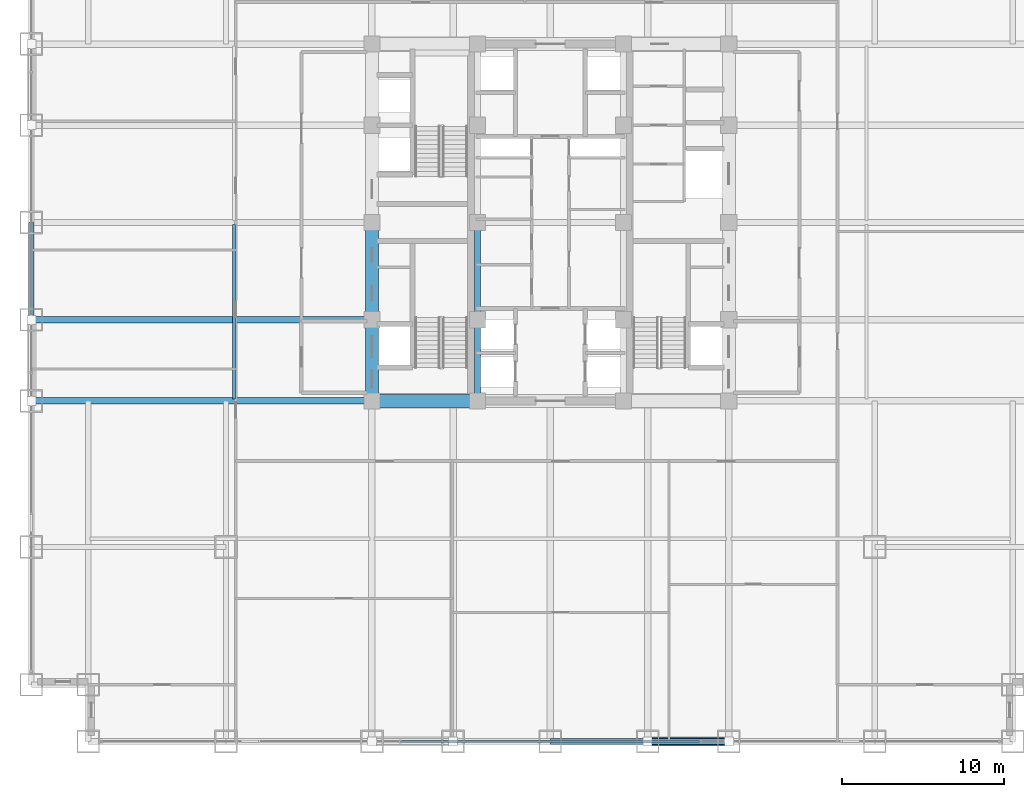
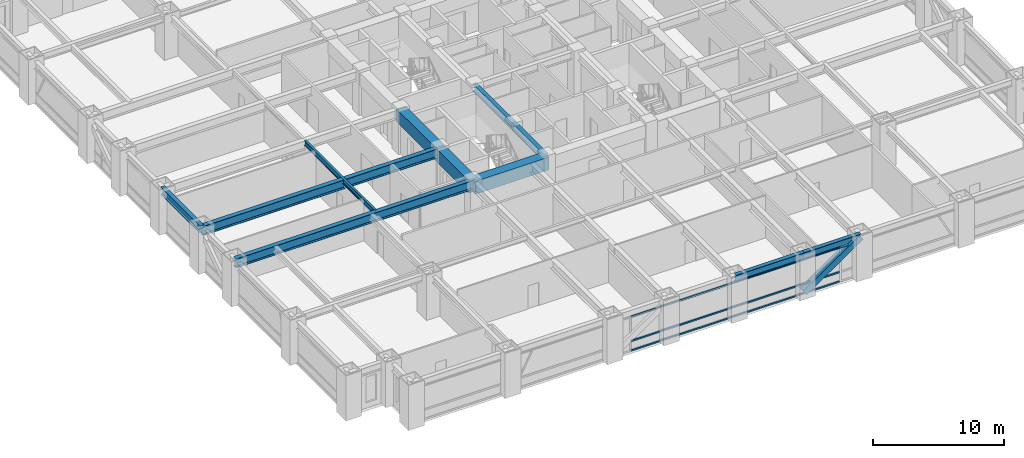
# One storey, part 7 of 28: 11 beams, 4 members, 1 element without a shape of its own.
"""IFC4 building model written with IfcOpenShell, lengths in metres."""

from ifc_helpers import new_model, si_unit, direction, frame, origin, origin_2d, place, context, subcontext, project, spatial, rectangle, hollow_rectangle, i_section, extrude, source, transform, mapped, material, material_profile, profile_set, type_object, element, aggregate, save


model = new_model("IFC4")

# Units and contexts
model_context = context("Model", 3, precision=1e-05, world=origin(), true_north=direction((0.0, 1.0)))
body_context = subcontext(model_context, "Body", "Model", "MODEL_VIEW")
ifc_project = project(units=[si_unit("LENGTHUNIT", "METRE"), si_unit("AREAUNIT", "SQUARE_METRE"), si_unit("VOLUMEUNIT", "CUBIC_METRE"), si_unit("PLANEANGLEUNIT", "RADIAN"), si_unit("MASSUNIT", "GRAM", prefix="KILO")], contexts=[model_context])

# Site, building, storey
site_placement = place(None, origin())
site = spatial("IfcSite", under=ifc_project, at=site_placement, CompositionType="ELEMENT")
building_placement = place(site_placement, origin())
building = spatial("IfcBuilding", under=site, at=building_placement, Name="Khorayat Bourse Tower", CompositionType="ELEMENT")
storey_placement = place(building_placement, frame((0.0, 0.0, 62.0)))
storey = spatial("IfcBuildingStorey", under=building, at=storey_placement, Name="L13", CompositionType="ELEMENT", Elevation=62.0)

# Beams
ifc_material_1 = material(Name="Concrete C72/90", Category="concrete")
ifc_material_profile_1 = material_profile(ifc_material_1, rectangle(XDim=0.800048828125, YDim=1.199951171875, at=origin_2d()), Name="RC 800x1200")
ifc_profile_set_1 = profile_set([ifc_material_profile_1], Name="Concrete C72/90")
beam_type_1 = type_object("IfcBeamType", Name="BM-COUP-1200", PredefinedType="BEAM", material=ifc_profile_set_1)
shared_shape_1 = source(origin(), body_context, "Body", "SweptSolid", [
    extrude(rectangle(XDim=0.800048828125, YDim=1.199951171875, at=origin_2d()), origin(), (0.0, 0.0, 1.0), 5.0),
])
beam_1_placement = place(storey_placement, frame((-11.0, -11.0, 3.340087890625), z_axis=(0.0, 1.0, 0.0), x_axis=(-1.0, 0.0, 0.0)))
element("IfcBeam", 1, at=beam_1_placement, inside=storey, type_object=beam_type_1, Name="L13 BM-COUP-1200 BM-L13-CRX-01", PredefinedType="BEAM", context=body_context, shape_type="MappedRepresentation", body=[
    mapped(shared_shape_1, transform((0.0, 0.0, 0.0), scale=1.0)),
])
shared_shape_2 = source(origin(), body_context, "Body", "SweptSolid", [
    extrude(rectangle(XDim=0.800048828125, YDim=1.199951171875, at=origin_2d()), origin(), (0.0, 0.0, 1.0), 6.0),
])
beam_2_placement = place(storey_placement, frame((-11.0, -6.0, 3.340087890625), z_axis=(0.0, 1.0, 0.0), x_axis=(-1.0, 0.0, 0.0)))
element("IfcBeam", 2, at=beam_2_placement, inside=storey, type_object=beam_type_1, Name="L13 BM-COUP-1200 BM-L13-CRX-02", PredefinedType="BEAM", context=body_context, shape_type="MappedRepresentation", body=[
    mapped(shared_shape_2, transform((0.0, 0.0, 0.0), scale=1.0)),
])
ifc_material_2 = material(Name="Steel ASTM A992 Grade 50", Category="steel")
ifc_material_profile_2 = material_profile(ifc_material_2, i_section(OverallWidth=0.35498046875, OverallDepth=0.695068359375, WebThickness=0.015380859375, FlangeThickness=0.02490234375, FilletRadius=0.01806640625, at=origin_2d()), Name="W690X217")
ifc_profile_set_2 = profile_set([ifc_material_profile_2], Name="Steel ASTM A992 Grade 50")
beam_type_2 = type_object("IfcBeamType", Name="BM-GIRD-690", PredefinedType="BEAM", material=ifc_profile_set_2)
shared_shape_3 = source(origin(), body_context, "Body", "SweptSolid", [
    extrude(i_section(OverallWidth=0.35498046875, OverallDepth=0.695068359375, WebThickness=0.015380859375, FlangeThickness=0.02490234375, FilletRadius=0.01806640625, at=origin_2d()), origin(), (0.0, 0.0, 1.0), 5.0),
])
beam_3_placement = place(storey_placement, frame((-4.5, -11.0, 3.592529296875), z_axis=(0.0, 1.0, 0.0), x_axis=(-1.0, 0.0, 0.0)))
element("IfcBeam", 3, at=beam_3_placement, inside=storey, type_object=beam_type_2, Name="L13 BM-GIRD-690 BM-L13-CRX-05", PredefinedType="BEAM", context=body_context, shape_type="MappedRepresentation", body=[
    mapped(shared_shape_3, transform((0.0, 0.0, 0.0), scale=1.0)),
])
shared_shape_4 = source(origin(), body_context, "Body", "SweptSolid", [
    extrude(i_section(OverallWidth=0.35498046875, OverallDepth=0.695068359375, WebThickness=0.015380859375, FlangeThickness=0.02490234375, FilletRadius=0.01806640625, at=origin_2d()), origin(), (0.0, 0.0, 1.0), 6.0),
])
beam_4_placement = place(storey_placement, frame((-4.5, -6.0, 3.592529296875), z_axis=(0.0, 1.0, 0.0), x_axis=(-1.0, 0.0, 0.0)))
element("IfcBeam", 4, at=beam_4_placement, inside=storey, type_object=beam_type_2, Name="L13 BM-GIRD-690 BM-L13-CRX-06", PredefinedType="BEAM", context=body_context, shape_type="MappedRepresentation", body=[
    mapped(shared_shape_4, transform((0.0, 0.0, 0.0), scale=1.0)),
])
shared_shape_5 = source(origin(), body_context, "Body", "SweptSolid", [
    extrude(rectangle(XDim=0.800048828125, YDim=1.199951171875, at=origin_2d()), origin(), (0.0, 0.0, 1.0), 6.5),
])
beam_5_placement = place(storey_placement, frame((-11.0, -11.0, 3.340087890625), z_axis=(1.0, 0.0, 0.0), x_axis=(0.0, 1.0, 0.0)))
element("IfcBeam", 5, at=beam_5_placement, inside=storey, type_object=beam_type_1, Name="L13 BM-COUP-1200 BM-L13-CRY-17", PredefinedType="BEAM", context=body_context, shape_type="MappedRepresentation", body=[
    mapped(shared_shape_5, transform((0.0, 0.0, 0.0), scale=1.0)),
])
ifc_material_profile_3 = material_profile(ifc_material_2, i_section(OverallWidth=0.35498046875, OverallDepth=0.695068359375, WebThickness=0.015380859375, FlangeThickness=0.02490234375, FilletRadius=0.01806640625, at=origin_2d()), Name="W690X217")
ifc_profile_set_3 = profile_set([ifc_material_profile_3], Name="Steel ASTM A992 Grade 50")
beam_type_3 = type_object("IfcBeamType", Name="BM-SPAN-690", PredefinedType="SPANDREL", material=ifc_profile_set_3)
shared_shape_6 = source(origin(), body_context, "Body", "SweptSolid", [
    extrude(i_section(OverallWidth=0.35498046875, OverallDepth=0.695068359375, WebThickness=0.015380859375, FlangeThickness=0.02490234375, FilletRadius=0.01806640625, at=origin_2d()), origin(), (0.0, 0.0, 1.0), 5.0),
])
beam_6_placement = place(storey_placement, frame((6.0, -32.0, 3.592529296875), z_axis=(1.0, 0.0, 0.0), x_axis=(0.0, 1.0, 0.0)))
element("IfcBeam", 6, at=beam_6_placement, inside=storey, type_object=beam_type_3, Name="L13 BM-SPAN-690 BM-L13-SPN-029", PredefinedType="SPANDREL", context=body_context, shape_type="MappedRepresentation", body=[
    mapped(shared_shape_6, transform((0.0, 0.0, 0.0), scale=1.0)),
])
shared_shape_7 = source(origin(), body_context, "Body", "SweptSolid", [
    extrude(i_section(OverallWidth=0.35498046875, OverallDepth=0.695068359375, WebThickness=0.015380859375, FlangeThickness=0.02490234375, FilletRadius=0.01806640625, at=origin_2d()), origin(), (0.0, 0.0, 1.0), 6.0),
])
for number, where, z_axis, x_axis, name in (
    (7, (0.0, -32.0, 3.592529296875), (1.0, 0.0, 0.0), (0.0, 1.0, 0.0), "L13 BM-SPAN-690 BM-L13-SPN-028"),
    (8, (-32.0, -6.0, 3.592529296875), (0.0, 1.0, 0.0), (-1.0, 0.0, 0.0), "L13 BM-SPAN-690 BM-L13-SPN-058"),
):
    element("IfcBeam", number, at=place(storey_placement, frame(where, z_axis=z_axis, x_axis=x_axis)), inside=storey, type_object=beam_type_3, Name=name, PredefinedType="SPANDREL", context=body_context, shape_type="MappedRepresentation", body=[
        mapped(shared_shape_7, transform((0.0, 0.0, 0.0), scale=1.0)),
    ])
ifc_material_profile_4 = material_profile(ifc_material_2, i_section(OverallWidth=0.39990234375, OverallDepth=0.85498046875, WebThickness=0.018310546875, FlangeThickness=0.029296875, FilletRadius=0.02001953125, at=origin_2d()), Name="W840X299")
ifc_profile_set_4 = profile_set([ifc_material_profile_4], Name="Steel ASTM A992 Grade 50")
beam_type_4 = type_object("IfcBeamType", Name="BM-GIRD-840", PredefinedType="BEAM", material=ifc_profile_set_4)
shared_shape_8 = source(origin(), body_context, "Body", "SweptSolid", [
    extrude(i_section(OverallWidth=0.39990234375, OverallDepth=0.85498046875, WebThickness=0.018310546875, FlangeThickness=0.029296875, FilletRadius=0.02001953125, at=origin_2d()), origin(), (0.0, 0.0, 1.0), 21.0),
])
for number, where, z_axis, x_axis, name in (
    (9, (-32.0, -11.0, 3.512451171875), (1.0, 0.0, 0.0), (0.0, 1.0, 0.0), "L13 BM-GIRD-840 BM-L13-RADX-075"),
    (10, (-32.0, -6.0, 3.512451171875), (1.0, 0.0, 0.0), (0.0, 1.0, 0.0), "L13 BM-GIRD-840 BM-L13-RADX-077"),
):
    element("IfcBeam", number, at=place(storey_placement, frame(where, z_axis=z_axis, x_axis=x_axis)), inside=storey, type_object=beam_type_4, Name=name, PredefinedType="BEAM", context=body_context, shape_type="MappedRepresentation", body=[
        mapped(shared_shape_8, transform((0.0, 0.0, 0.0), scale=1.0)),
    ])
ifc_material_profile_5 = material_profile(ifc_material_2, i_section(OverallWidth=0.194091796875, OverallDepth=0.468994140625, WebThickness=0.0126953125, FlangeThickness=0.0205078125, FilletRadius=0.012939453125, at=origin_2d()), Name="W460X106")
ifc_profile_set_5 = profile_set([ifc_material_profile_5], Name="Steel ASTM A992 Grade 50")
beam_type_5 = type_object("IfcBeamType", Name="BM-JOIST-460", PredefinedType="JOIST", material=ifc_profile_set_5)
shared_shape_9 = source(origin(), body_context, "Body", "SweptSolid", [
    extrude(i_section(OverallWidth=0.194091796875, OverallDepth=0.468994140625, WebThickness=0.0126953125, FlangeThickness=0.0205078125, FilletRadius=0.012939453125, at=origin_2d()), origin(), (0.0, 0.0, 1.0), 10.740234375),
])
beam_7_placement = place(storey_placement, frame((-19.5, -10.8701171875, 3.70556640625), z_axis=(0.0, 1.0, 0.0), x_axis=(-1.0, 0.0, 0.0)))
element("IfcBeam", 11, at=beam_7_placement, inside=storey, type_object=beam_type_5, Name="L13 BM-JOIST-460 BM-L13-JSTY-102", PredefinedType="JOIST", context=body_context, shape_type="MappedRepresentation", body=[
    mapped(shared_shape_9, transform((0.0, 0.0, 0.0), scale=1.0)),
])

# Member
ifc_material_3 = material(Name="Steel EN 10025-4 S460M", Category="steel")
ifc_material_profile_6 = material_profile(ifc_material_3, hollow_rectangle(XDim=0.550048828125, YDim=0.550048828125, WallThickness=0.031982421875, at=origin_2d()), Name="HSS 550x550x32")
ifc_profile_set_6 = profile_set([ifc_material_profile_6], Name="Steel EN 10025-4 S460M")
member_type_1 = type_object("IfcMemberType", Name="MBR-TUBE-550", PredefinedType="BRACE", material=ifc_profile_set_6)
shared_shape_10 = source(origin(), body_context, "Body", "SweptSolid", [
    extrude(hollow_rectangle(XDim=0.550048828125, YDim=0.550048828125, WallThickness=0.031982421875, at=origin_2d()), origin(), (0.0, 0.0, 1.0), 6.069091796875),
])
member_1_placement = place(storey_placement, frame((6.0, -32.0, 0.25), z_axis=(0.823854080622, 0.0, 0.566801952928), x_axis=(0.0, 1.0, 0.0)))
element("IfcMember", 12, at=member_1_placement, inside=storey, type_object=member_type_1, Name="L13 Perimeter Tube Brace 02", PredefinedType="BRACE", context=body_context, shape_type="MappedRepresentation", body=[
    mapped(shared_shape_10, transform((0.0, 0.0, 0.0), scale=1.0)),
])

# Curtain wall, members
ifc_material_4 = material(Name="Aluminium EN AW-6063 T6", Category="aluminium")
curtain_wall_type = type_object("IfcCurtainWallType", Name="CW-SYS-02", PredefinedType="NOTDEFINED", material=ifc_material_4)
curtain_wall_placement = place(storey_placement, origin())
curtain_wall = element("IfcCurtainWall", 13, at=curtain_wall_placement, inside=storey, type_object=curtain_wall_type, Name="L13 Curtain Wall CW-L13-S1", PredefinedType="NOTDEFINED")
ifc_material_profile_7 = material_profile(ifc_material_4, hollow_rectangle(XDim=0.139892578125, YDim=0.139892578125, WallThickness=0.006103515625, at=origin_2d()), Name="ALU 140x140x6")
ifc_profile_set_7 = profile_set([ifc_material_profile_7], Name="Aluminium EN AW-6063 T6")
member_type_2 = type_object("IfcMemberType", Name="CWT-HORZ-140", PredefinedType="USERDEFINED", material=ifc_profile_set_7)
shared_shape_11 = source(origin(), body_context, "Body", "SweptSolid", [
    extrude(hollow_rectangle(XDim=0.139892578125, YDim=0.139892578125, WallThickness=0.006103515625, at=origin_2d()), origin(), (0.0, 0.0, 1.0), 18.35986328125),
])
member_2_placement = place(storey_placement, frame((-9.179931640625, -32.0, 0.070068359375), z_axis=(1.0, 0.0, 0.0), x_axis=(0.0, 1.0, 0.0)))
member_2 = element("IfcMember", 14, at=member_2_placement, type_object=member_type_2, Name="CW-L13-S1 Horizontal Transom 2-1", ObjectType="TRANSOM", PredefinedType="USERDEFINED", context=body_context, shape_type="MappedRepresentation", body=[
    mapped(shared_shape_11, transform((0.0, 0.0, 0.0), scale=1.0)),
])
member_3_placement = place(storey_placement, frame((-9.179931640625, -32.0, 0.949951171875), z_axis=(1.0, 0.0, 0.0), x_axis=(0.0, 1.0, 0.0)))
member_3 = element("IfcMember", 15, at=member_3_placement, type_object=member_type_2, Name="CW-L13-S1 Horizontal Transom 2-2", ObjectType="TRANSOM", PredefinedType="USERDEFINED", context=body_context, shape_type="MappedRepresentation", body=[
    mapped(shared_shape_11, transform((0.0, 0.0, 0.0), scale=1.0)),
])
member_4_placement = place(storey_placement, frame((-9.179931640625, -32.0, 3.219970703125), z_axis=(1.0, 0.0, 0.0), x_axis=(0.0, 1.0, 0.0)))
member_4 = element("IfcMember", 16, at=member_4_placement, type_object=member_type_2, Name="CW-L13-S1 Horizontal Transom 2-3", ObjectType="TRANSOM", PredefinedType="USERDEFINED", context=body_context, shape_type="MappedRepresentation", body=[
    mapped(shared_shape_11, transform((0.0, 0.0, 0.0), scale=1.0)),
])
aggregate(curtain_wall, [member_2, member_3, member_4])

save(model, "model.ifc")
